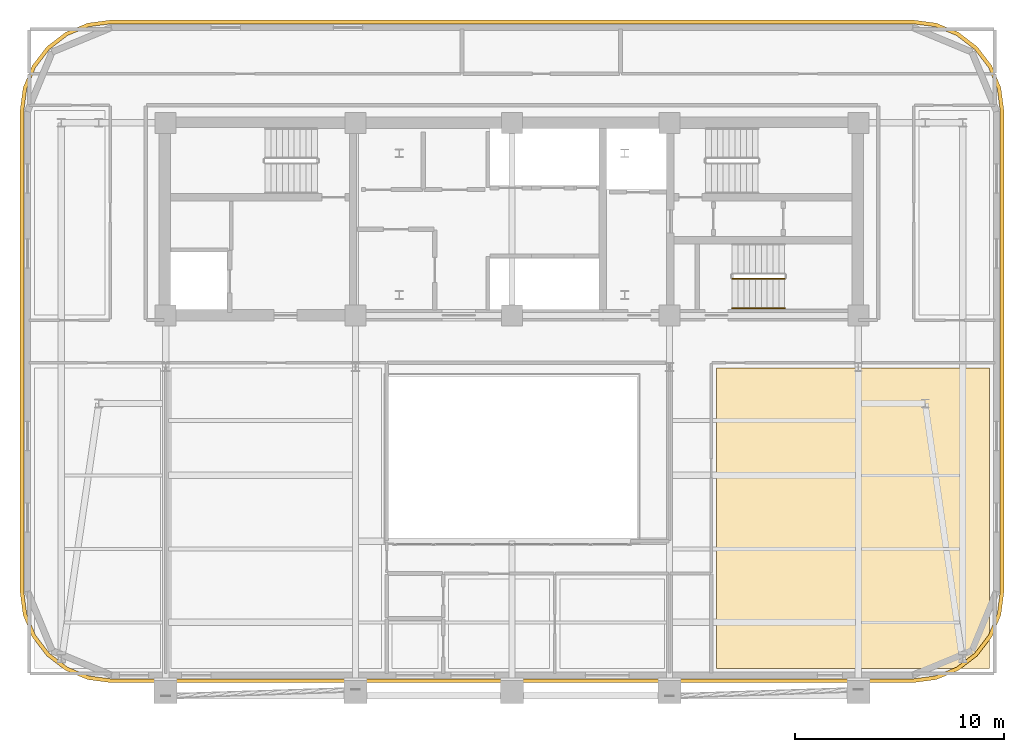
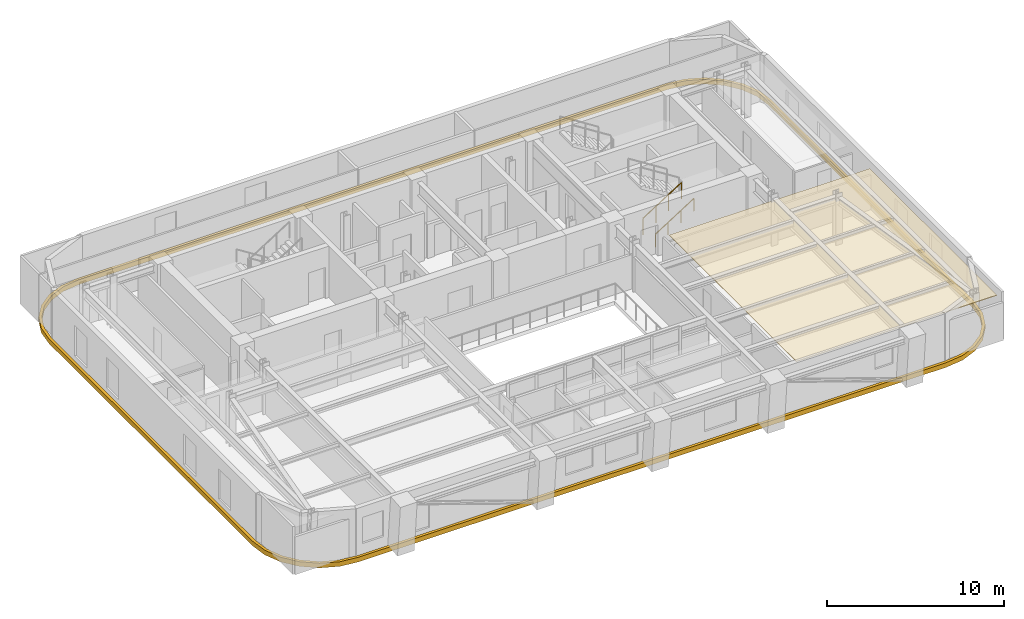
# One storey, part 12 of 13: 2 coverings, 2 railings.
"""IFC4 building model written with IfcOpenShell, lengths in metres."""

import ifcopenshell
import ifcopenshell.guid

model = None  # the IFC model being written
_history = None  # IfcOwnerHistory: only IFC2X3 demands one
_inside = {}  # id of a spatial element -> (the spatial element, [elements in it])
_under = {}  # id of a project, library or spatial element -> (it, [spatial elements below it])
_declared = {}  # id of a project -> (the project, [libraries it declares])
_typed = {}  # id of a type object -> (the type object, [elements of that type])
_made_of = {}  # id of a material, layer set ... -> (it, [elements and type objects made of it])


def new_model(schema):
    """Start an empty IFC model of exactly this schema.

    Asked for "IFC4X3", IfcOpenShell would pick the latest addendum, in which some entities
    have other attributes; the version numbers below select the first issue.
    IFC2X3 requires an IfcOwnerHistory on every rooted entity: one is made here for all.
    """
    global model, _history
    if schema == "IFC4X3":
        model = ifcopenshell.file(schema_version=(4, 3, 0, 0))
    else:
        model = ifcopenshell.file(schema=schema)
    _inside.clear()
    _under.clear()
    _declared.clear()
    _typed.clear()
    _made_of.clear()
    _history = None
    if model.schema == "IFC2X3":
        org = make("IfcOrganization", Name="unknown")
        user = make(
            "IfcPersonAndOrganization",
            ThePerson=make("IfcPerson", FamilyName="unknown"),
            TheOrganization=org,
        )
        app = make(
            "IfcApplication",
            ApplicationDeveloper=org,
            Version="unknown",
            ApplicationFullName="unknown",
            ApplicationIdentifier="unknown",
        )
        _history = make(
            "IfcOwnerHistory",
            OwningUser=user,
            OwningApplication=app,
            ChangeAction="ADDED",
            CreationDate=0,
        )
    return model


def make(cls, **values):
    """One entity of the class cls with the attributes given. An attribute that is None is left unset."""
    return model.create_entity(
        cls, **{name: value for name, value in values.items() if value is not None}
    )


def rooted(cls, **values):
    """An entity with a GlobalId (a new one), such as an element, a storey or a relation."""
    return make(cls, GlobalId=ifcopenshell.guid.new(), OwnerHistory=_history, **values)


def si_unit(unit_type, name, prefix=None):
    """IfcSIUnit, for example si_unit("LENGTHUNIT", "METRE", prefix="MILLI")."""
    return make("IfcSIUnit", UnitType=unit_type, Prefix=prefix, Name=name)


def assignment(units):
    """IfcUnitAssignment: the units of a project."""
    return None if units is None else make("IfcUnitAssignment", Units=units)


def point(xyz):
    """IfcCartesianPoint."""
    return None if xyz is None else make("IfcCartesianPoint", Coordinates=xyz)


def direction(xyz):
    """IfcDirection."""
    return None if xyz is None else make("IfcDirection", DirectionRatios=xyz)


def frame(location, z_axis=None, x_axis=None):
    """IfcAxis2Placement3D, a coordinate frame: its origin and axes. An axis left out is left unset."""
    return make(
        "IfcAxis2Placement3D",
        Location=point(location),
        Axis=direction(z_axis),
        RefDirection=direction(x_axis),
    )


def frame_2d(location, x_axis=None):
    """IfcAxis2Placement2D, a coordinate frame in the plane: its origin and x axis."""
    return make(
        "IfcAxis2Placement2D", Location=point(location), RefDirection=direction(x_axis)
    )


def origin():
    """The frame at (0, 0, 0) with its axes left unset."""
    return frame((0.0, 0.0, 0.0))


def origin_2d():
    """The frame at (0, 0) in the plane with its x axis left unset."""
    return frame_2d((0.0, 0.0))


def place(relative_to, where):
    """IfcLocalPlacement: puts the frame where relative to a parent placement (None: the world)."""
    return make(
        "IfcLocalPlacement", PlacementRelTo=relative_to, RelativePlacement=where
    )


def context(
    kind, dimensions, precision=None, world=None, true_north=None, identifier=None
):
    """IfcGeometricRepresentationContext, for example the 3D "Model" context."""
    return make(
        "IfcGeometricRepresentationContext",
        ContextIdentifier=identifier,
        ContextType=kind,
        CoordinateSpaceDimension=dimensions,
        Precision=precision,
        WorldCoordinateSystem=world,
        TrueNorth=true_north,
    )


def subcontext(parent, identifier, kind, view, scale=None):
    """IfcGeometricRepresentationSubContext, for example "Body" below "Model"."""
    return make(
        "IfcGeometricRepresentationSubContext",
        ContextIdentifier=identifier,
        ContextType=kind,
        ParentContext=parent,
        TargetScale=scale,
        TargetView=view,
    )


def project(units=None, contexts=None):
    """IfcProject with its units and contexts."""
    return rooted(
        "IfcProject",
        Name="project",
        RepresentationContexts=contexts,
        UnitsInContext=assignment(units),
    )


def spatial(cls, under=None, at=None, **own):
    """A site, building, storey or space (cls), placed at a placement, below another one or the project."""
    s = rooted(cls, ObjectPlacement=at, **own)
    if under is not None:
        _under.setdefault(under.id(), (under, []))[1].append(s)
    return s


def polyline(points):
    """IfcPolyline through the points."""
    return make("IfcPolyline", Points=[point(p) for p in points])


def profile(cls, at=None, kind="AREA", **sizes):
    """A parametric profile (cls). Its sizes go by their IFC names, for example OverallWidth=200.0."""
    return make(cls, ProfileType=kind, Position=at, **sizes)


def rectangle(**sizes):
    """IfcRectangleProfileDef."""
    return profile("IfcRectangleProfileDef", **sizes)


def outline(outer, holes=None, kind="AREA"):
    """IfcArbitraryClosedProfileDef: a profile drawn as a closed curve; with holes, ...WithVoids."""
    if holes is None:
        return make("IfcArbitraryClosedProfileDef", ProfileType=kind, OuterCurve=outer)
    return make(
        "IfcArbitraryProfileDefWithVoids",
        ProfileType=kind,
        OuterCurve=outer,
        InnerCurves=holes,
    )


def extrude(swept, where, along, depth):
    """IfcExtrudedAreaSolid: the profile swept, set in the frame where, extruded along a direction by depth."""
    return make(
        "IfcExtrudedAreaSolid",
        SweptArea=swept,
        Position=where,
        ExtrudedDirection=direction(along),
        Depth=depth,
    )


def shape(context_of_items, identifier, shape_type, items):
    """IfcShapeRepresentation: the items that make up one representation, for example the "Body"."""
    return make(
        "IfcShapeRepresentation",
        ContextOfItems=context_of_items,
        RepresentationIdentifier=identifier,
        RepresentationType=shape_type,
        Items=items,
    )


def material(Name=None, Category=None):
    """IfcMaterial."""
    return make("IfcMaterial", Name=Name, Category=Category)


def layer(
    of_material, thickness, ventilated=None, Name=None, Category=None, Priority=None
):
    """IfcMaterialLayer: one layer of a wall or slab, of a material (None: an air gap)."""
    return make(
        "IfcMaterialLayer",
        Material=of_material,
        LayerThickness=thickness,
        IsVentilated=ventilated,
        Name=Name,
        Category=Category,
        Priority=Priority,
    )


def layer_set(layers, Name=None):
    """IfcMaterialLayerSet."""
    return make("IfcMaterialLayerSet", MaterialLayers=layers, LayerSetName=Name)


def made_of(thing, what):
    """Note that an element or type object is made of a material, layer set ...; save() writes the relation."""
    if what is not None:
        _made_of.setdefault(what.id(), (what, []))[1].append(thing)
    return thing


def type_object(cls, material=None, **own):
    """A type object (cls), such as IfcWallType, which elements share."""
    return made_of(rooted(cls, **own), material)


def element(
    cls,
    number,
    at=None,
    inside=None,
    cuts=None,
    type_object=None,
    material=None,
    context=None,
    identifier="Body",
    shape_type=None,
    held_by="IfcProductDefinitionShape",
    body=None,
    shapes=None,
    **own,
):
    """One element of the class cls, such as IfcWall. Its Tag is "e" and its number.

    at: its placement. inside: the storey or other place that contains it. cuts: it is an
    opening in that element (IfcRelVoidsElement). A single representation is given by context,
    identifier, shape_type and body (its items); several are given by shapes. held_by: the class
    of the entity that holds the representations. save() writes the other relations.
    """
    e = rooted(cls, Tag="e%d" % number, ObjectPlacement=at, **own)
    if body is not None:
        shapes = [shape(context, identifier, shape_type, body)]
    if shapes is not None:
        e.Representation = make(held_by, Representations=shapes)
    if inside is not None:
        _inside.setdefault(inside.id(), (inside, []))[1].append(e)
    if cuts is not None:
        rooted(
            "IfcRelVoidsElement", RelatingBuildingElement=cuts, RelatedOpeningElement=e
        )
    if type_object is not None:
        _typed.setdefault(type_object.id(), (type_object, []))[1].append(e)
    return made_of(e, material)


def aggregate(whole, parts):
    """IfcRelAggregates: a whole, such as a stair, and the parts it consists of."""
    return rooted("IfcRelAggregates", RelatingObject=whole, RelatedObjects=parts)


def save(model, path):
    """Write the relations noted so far, then the file.

    IfcRelAggregates (storeys below a building ...), IfcRelContainedInSpatialStructure (elements
    in a storey), IfcRelDefinesByType, IfcRelAssociatesMaterial and IfcRelDeclares: one each for
    every whole, place, type object, material and project.
    """
    for whole, parts in _under.values():
        aggregate(whole, parts)
    for where, things in _inside.values():
        rooted(
            "IfcRelContainedInSpatialStructure",
            RelatedElements=things,
            RelatingStructure=where,
        )
    for kind, things in _typed.values():
        rooted("IfcRelDefinesByType", RelatedObjects=things, RelatingType=kind)
    for what, things in _made_of.values():
        rooted("IfcRelAssociatesMaterial", RelatedObjects=things, RelatingMaterial=what)
    for by, libraries in _declared.values():
        rooted("IfcRelDeclares", RelatingContext=by, RelatedDefinitions=libraries)
    model.write(path)


model = new_model("IFC4")

# Units and contexts
model_context = context("Model", 3, precision=1e-05, world=origin(), true_north=direction((0.0, 1.0)))
body_context = subcontext(model_context, "Body", "Model", "MODEL_VIEW")
ifc_project = project(units=[si_unit("LENGTHUNIT", "METRE"), si_unit("AREAUNIT", "SQUARE_METRE"), si_unit("VOLUMEUNIT", "CUBIC_METRE"), si_unit("PLANEANGLEUNIT", "RADIAN"), si_unit("MASSUNIT", "GRAM", prefix="KILO")], contexts=[model_context])

# Site, building, storey
site_placement = place(None, origin())
site = spatial("IfcSite", under=ifc_project, at=site_placement, CompositionType="ELEMENT")
building_placement = place(site_placement, origin())
building = spatial("IfcBuilding", under=site, at=building_placement, Name="Zarnavel Station Tower", CompositionType="ELEMENT")
storey_placement = place(building_placement, frame((0.0, 0.0, 180.300048828125)))
storey = spatial("IfcBuildingStorey", under=building, at=storey_placement, Name="L49", CompositionType="ELEMENT", Elevation=180.300048828125)

# Coverings
ifc_material_1 = material(Name="Perforated Gypsum and Mineral-Wool Acoustic Ceiling", Category="concrete")
ifc_layer = layer(ifc_material_1, 0.0400390625)
ifc_layer_set = layer_set([ifc_layer], Name="COV_CEIL_ACOUSTIC")
covering_type_1 = type_object("IfcCoveringType", Name="COV_CEIL_ACOUSTIC", PredefinedType="CEILING", material=ifc_layer_set)
covering_1_placement = place(storey_placement, frame((0.0, 0.0, 2.969970703125)))
element("IfcCovering", 1, at=covering_1_placement, inside=storey, type_object=covering_type_1, Name="L49 L49GYM Acoustic Ceiling", PredefinedType="CEILING", context=body_context, shape_type="SweptSolid", body=[
    extrude(outline(polyline([(38.60009765625, 10.909912109375), (51.68994140625, 10.909912109375), (51.68994140625, 25.300048828125), (38.60009765625, 25.300048828125), (38.60009765625, 10.909912109375)])), origin(), (0.0, 0.0, 1.0), 0.0400390625),
])
ifc_material_2 = material(Name="Precast concrete C45/55 (Pale Travertine Slab Band)", Category="masonry")
covering_type_2 = type_object("IfcCoveringType", Name="COV_TRAVERTINE_BAND", PredefinedType="CLADDING", material=ifc_material_2)
covering_2_placement = place(storey_placement, frame((0.0, 0.0, -0.260009765625)))
element("IfcCovering", 2, at=covering_2_placement, inside=storey, type_object=covering_type_2, Name="L49 Pale Travertine Slab-Edge Band", PredefinedType="CLADDING", context=body_context, shape_type="SweptSolid", body=[
    extrude(outline(polyline([(48.0, 10.219970703125), (49.133544921875, 10.369140625), (50.18994140625, 10.806884765625), (51.09716796875, 11.5029296875), (51.793212890625, 12.409912109375), (52.230712890625, 13.46630859375), (52.3798828125, 14.60009765625), (52.3798828125, 37.60009765625), (52.230712890625, 38.733642578125), (51.793212890625, 39.7900390625), (51.09716796875, 40.697021484375), (50.18994140625, 41.393310546875), (49.133544921875, 41.830810546875), (48.0, 41.97998046875), (9.60009765625, 41.97998046875), (8.46630859375, 41.830810546875), (7.409912109375, 41.393310546875), (6.5029296875, 40.697021484375), (5.806884765625, 39.7900390625), (5.369140625, 38.733642578125), (5.219970703125, 37.60009765625), (5.219970703125, 14.60009765625), (5.369140625, 13.46630859375), (5.806884765625, 12.409912109375), (6.5029296875, 11.5029296875), (7.409912109375, 10.806884765625), (8.46630859375, 10.369140625), (9.60009765625, 10.219970703125), (48.0, 10.219970703125)]), holes=[polyline([(48.0, 10.39990234375), (49.0869140625, 10.543212890625), (50.10009765625, 10.962646484375), (50.9697265625, 11.630126953125), (51.63720703125, 12.5), (52.056884765625, 13.512939453125), (52.199951171875, 14.60009765625), (52.199951171875, 37.60009765625), (52.056884765625, 38.68701171875), (51.63720703125, 39.699951171875), (50.9697265625, 40.56982421875), (50.10009765625, 41.2373046875), (49.0869140625, 41.656982421875), (48.0, 41.800048828125), (9.60009765625, 41.800048828125), (8.512939453125, 41.656982421875), (7.5, 41.2373046875), (6.630126953125, 40.56982421875), (5.962646484375, 39.699951171875), (5.543212890625, 38.68701171875), (5.39990234375, 37.60009765625), (5.39990234375, 14.60009765625), (5.543212890625, 13.512939453125), (5.962646484375, 12.5), (6.630126953125, 11.630126953125), (7.5, 10.962646484375), (8.512939453125, 10.543212890625), (9.60009765625, 10.39990234375), (48.0, 10.39990234375)])]), origin(), (0.0, 0.0, 1.0), 0.320068359375),
])

# Railings
ifc_material_3 = material(Name="Painted Steel S355J2 Balustrade", Category="steel")
railing_type_1 = type_object("IfcRailingType", Name="GR_INT_1150", PredefinedType="GUARDRAIL", material=ifc_material_3)
railing_1_placement = place(storey_placement, frame((39.35009765625, 29.570068359375, 0.177490234375)))
element("IfcRailing", 3, at=railing_1_placement, inside=storey, type_object=railing_type_1, Name="L49 ST3 stair guard 1", PredefinedType="GUARDRAIL", context=body_context, shape_type="SweptSolid", body=[
    extrude(rectangle(XDim=0.048095703125, YDim=0.048095703125, at=origin_2d()), frame((0.001708984375, 0.0, 1.126953125), z_axis=(0.84460694969, 0.0, 0.535386869969), x_axis=(0.0, 1.0, 0.0)), (0.0, 0.0, 1.0), 2.979736328125),
    extrude(rectangle(XDim=0.0419921875, YDim=0.0419921875, at=origin_2d()), origin(), (0.0, 0.0, 1.0), 1.101806640625),
    extrude(rectangle(XDim=0.0419921875, YDim=0.0419921875, at=origin_2d()), frame((0.840087890625, 0.0, 0.532470703125)), (0.0, 0.0, 1.0), 1.101806640625),
    extrude(rectangle(XDim=0.0419921875, YDim=0.0419921875, at=origin_2d()), frame((1.679931640625, 0.0, 1.06494140625)), (0.0, 0.0, 1.0), 1.101806640625),
    extrude(rectangle(XDim=0.0419921875, YDim=0.0419921875, at=origin_2d()), frame((2.52001953125, 0.0, 1.597412109375)), (0.0, 0.0, 1.0), 1.101806640625),
])
ifc_material_4 = material(Name="Brushed Stainless Steel S355J2 Handrail", Category="steel")
railing_type_2 = type_object("IfcRailingType", Name="HR_STAIR_900", PredefinedType="HANDRAIL", material=ifc_material_4)
railing_2_placement = place(storey_placement, frame((39.35009765625, 28.169921875, 0.177490234375)))
element("IfcRailing", 4, at=railing_2_placement, inside=storey, type_object=railing_type_2, Name="L49 ST3 stair handrail 1", PredefinedType="HANDRAIL", context=body_context, shape_type="SweptSolid", body=[
    extrude(rectangle(XDim=0.048095703125, YDim=0.048095703125, at=origin_2d()), frame((0.001708984375, 0.0, 0.876953125), z_axis=(0.84460694969, 0.0, 0.535386869969), x_axis=(0.0, 1.0, 0.0)), (0.0, 0.0, 1.0), 2.979736328125),
    extrude(rectangle(XDim=0.0419921875, YDim=0.0419921875, at=origin_2d()), origin(), (0.0, 0.0, 1.0), 0.851806640625),
    extrude(rectangle(XDim=0.0419921875, YDim=0.0419921875, at=origin_2d()), frame((0.840087890625, 0.0, 0.532470703125)), (0.0, 0.0, 1.0), 0.851806640625),
    extrude(rectangle(XDim=0.0419921875, YDim=0.0419921875, at=origin_2d()), frame((1.679931640625, 0.0, 1.06494140625)), (0.0, 0.0, 1.0), 0.851806640625),
    extrude(rectangle(XDim=0.0419921875, YDim=0.0419921875, at=origin_2d()), frame((2.52001953125, 0.0, 1.597412109375)), (0.0, 0.0, 1.0), 0.851806640625),
])

save(model, "model.ifc")
